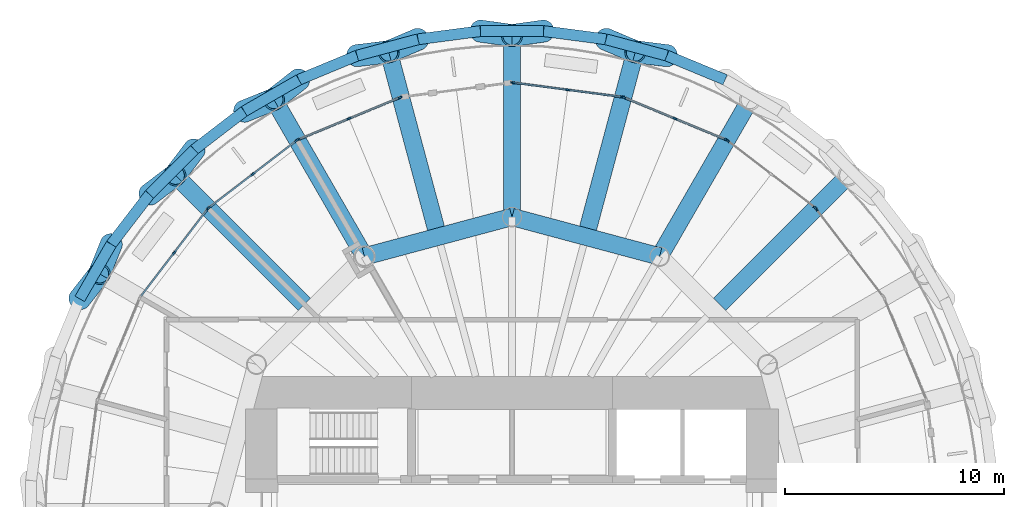
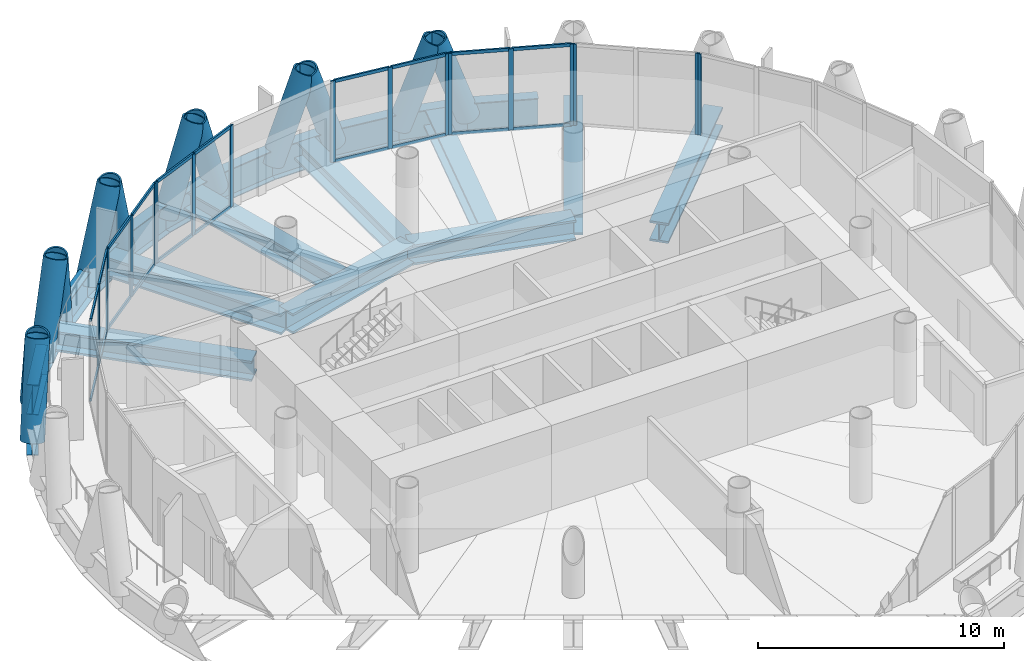
# One storey, part 5 of 15: 49 members, 21 beams, 7 elements without a shape of their own.
"""IFC4 building model written with IfcOpenShell, lengths in metres."""

from ifc_helpers import new_model, si_unit, direction, frame, origin, origin_2d, place, context, subcontext, project, spatial, rectangle, hollow_circle, i_section, extrude, material, material_profile, profile_set, type_object, element, aggregate, save


model = new_model("IFC4")

# Units and contexts
model_context = context("Model", 3, precision=1e-05, world=origin(), true_north=direction((0.0, 1.0)))
body_context = subcontext(model_context, "Body", "Model", "MODEL_VIEW")
ifc_project = project(units=[si_unit("LENGTHUNIT", "METRE"), si_unit("AREAUNIT", "SQUARE_METRE"), si_unit("VOLUMEUNIT", "CUBIC_METRE"), si_unit("PLANEANGLEUNIT", "RADIAN"), si_unit("MASSUNIT", "GRAM", prefix="KILO")], contexts=[model_context])

# Site, building, storey
site_placement = place(None, origin())
site = spatial("IfcSite", under=ifc_project, at=site_placement, CompositionType="ELEMENT")
building_placement = place(site_placement, origin())
building = spatial("IfcBuilding", under=site, at=building_placement, Name="Qaws Media Tower", CompositionType="ELEMENT")
storey_placement = place(building_placement, frame((0.0, 0.0, 257.0)))
storey = spatial("IfcBuildingStorey", under=building, at=storey_placement, Name="L59", CompositionType="ELEMENT", Elevation=257.0)

# Curtain wall, member
ifc_material_1 = material(Name="Aluminium and clear glass", Category="aluminium")
curtain_wall_type = type_object("IfcCurtainWallType", Name="Unitised curtain wall CW-C", PredefinedType="NOTDEFINED", material=ifc_material_1)
curtain_wall_1_placement = place(storey_placement, origin())
curtain_wall_1 = element("IfcCurtainWall", 1, at=curtain_wall_1_placement, inside=storey, type_object=curtain_wall_type, Name="CWC curtain wall L59-03", PredefinedType="NOTDEFINED")
ifc_material_2 = material(Name="Aluminium mullion", Category="aluminium")
ifc_material_profile_1 = material_profile(ifc_material_2, rectangle(XDim=0.080078125, YDim=0.199951171875, at=origin_2d()), Name="80x200")
ifc_profile_set_1 = profile_set([ifc_material_profile_1], Name="Aluminium mullion")
member_type_1 = type_object("IfcMemberType", Name="Curtain wall mullion 80x200", PredefinedType="MULLION", material=ifc_profile_set_1)
member_1_placement = place(storey_placement, frame((73.9189453125, 63.86279296875, 0.0), z_axis=(0.0, 0.0, 1.0), x_axis=(-0.793353316003, -0.608761460662, 0.0)))
member_1 = element("IfcMember", 2, at=member_1_placement, type_object=member_type_1, Name="CWC mullion 3", PredefinedType="MULLION", context=body_context, shape_type="SweptSolid", body=[
    extrude(rectangle(XDim=0.080078125, YDim=0.199951171875, at=origin_2d()), origin(), (0.0, 0.0, 1.0), 4.0400390625),
])
aggregate(curtain_wall_1, [member_1])

# Curtain wall, members
curtain_wall_2_placement = place(storey_placement, origin())
curtain_wall_2 = element("IfcCurtainWall", 3, at=curtain_wall_2_placement, inside=storey, type_object=curtain_wall_type, Name="CWC curtain wall L59-04", PredefinedType="NOTDEFINED")
member_2_placement = place(storey_placement, frame((73.86279296875, 63.9189453125, 0.0), z_axis=(0.0, 0.0, 1.0), x_axis=(-0.608761460662, -0.793353316003, 0.0)))
member_2 = element("IfcMember", 4, at=member_2_placement, type_object=member_type_1, Name="CWC mullion 1", PredefinedType="MULLION", context=body_context, shape_type="SweptSolid", body=[
    extrude(rectangle(XDim=0.080078125, YDim=0.199951171875, at=origin_2d()), origin(), (0.0, 0.0, 1.0), 4.0400390625),
])
member_3_placement = place(storey_placement, frame((69.856689453125, 66.9931640625, 0.0), z_axis=(0.0, 0.0, 1.0), x_axis=(-0.608761460662, -0.793353316003, 0.0)))
member_3 = element("IfcMember", 5, at=member_3_placement, type_object=member_type_1, Name="CWC mullion 3", PredefinedType="MULLION", context=body_context, shape_type="SweptSolid", body=[
    extrude(rectangle(XDim=0.080078125, YDim=0.199951171875, at=origin_2d()), origin(), (0.0, 0.0, 1.0), 4.0400390625),
])
aggregate(curtain_wall_2, [member_2, member_3])

curtain_wall_3_placement = place(storey_placement, origin())
curtain_wall_3 = element("IfcCurtainWall", 6, at=curtain_wall_3_placement, inside=storey, type_object=curtain_wall_type, Name="CWC curtain wall L59-05", PredefinedType="NOTDEFINED")
member_4_placement = place(storey_placement, frame((69.7880859375, 67.03271484375, 0.0), z_axis=(0.0, 0.0, 1.0), x_axis=(-0.382683365786, -0.923879560089, 0.0)))
member_4 = element("IfcMember", 7, at=member_4_placement, type_object=member_type_1, Name="CWC mullion 1", PredefinedType="MULLION", context=body_context, shape_type="SweptSolid", body=[
    extrude(rectangle(XDim=0.080078125, YDim=0.199951171875, at=origin_2d()), origin(), (0.0, 0.0, 1.0), 4.0400390625),
])
member_5_placement = place(storey_placement, frame((67.455322265625, 67.9990234375, 0.0), z_axis=(0.0, 0.0, 1.0), x_axis=(-0.382683365786, -0.923879560089, 0.0)))
member_5 = element("IfcMember", 8, at=member_5_placement, type_object=member_type_1, Name="CWC mullion 2", PredefinedType="MULLION", context=body_context, shape_type="SweptSolid", body=[
    extrude(rectangle(XDim=0.080078125, YDim=0.199951171875, at=origin_2d()), origin(), (0.0, 0.0, 1.0), 4.0400390625),
])
member_6_placement = place(storey_placement, frame((65.122802734375, 68.965087890625, 0.0), z_axis=(0.0, 0.0, 1.0), x_axis=(-0.382683365786, -0.923879560089, 0.0)))
member_6 = element("IfcMember", 9, at=member_6_placement, type_object=member_type_1, Name="CWC mullion 3", PredefinedType="MULLION", context=body_context, shape_type="SweptSolid", body=[
    extrude(rectangle(XDim=0.080078125, YDim=0.199951171875, at=origin_2d()), origin(), (0.0, 0.0, 1.0), 4.0400390625),
])

curtain_wall_4_placement = place(storey_placement, origin())
curtain_wall_4 = element("IfcCurtainWall", 10, at=curtain_wall_4_placement, inside=storey, type_object=curtain_wall_type, Name="CWC curtain wall L59-06", PredefinedType="NOTDEFINED")
member_7_placement = place(storey_placement, frame((65.046142578125, 68.985595703125, 0.0), z_axis=(0.0, 0.0, 1.0), x_axis=(-0.130526291424, -0.991444848313, 0.0)))
member_7 = element("IfcMember", 11, at=member_7_placement, type_object=member_type_1, Name="CWC mullion 1", PredefinedType="MULLION", context=body_context, shape_type="SweptSolid", body=[
    extrude(rectangle(XDim=0.080078125, YDim=0.199951171875, at=origin_2d()), origin(), (0.0, 0.0, 1.0), 4.0400390625),
])
member_8_placement = place(storey_placement, frame((62.54296875, 69.315185546875, 0.0), z_axis=(0.0, 0.0, 1.0), x_axis=(-0.130526291424, -0.991444848313, 0.0)))
member_8 = element("IfcMember", 12, at=member_8_placement, type_object=member_type_1, Name="CWC mullion 2", PredefinedType="MULLION", context=body_context, shape_type="SweptSolid", body=[
    extrude(rectangle(XDim=0.080078125, YDim=0.199951171875, at=origin_2d()), origin(), (0.0, 0.0, 1.0), 4.0400390625),
])
member_9_placement = place(storey_placement, frame((60.03955078125, 69.644775390625, 0.0), z_axis=(0.0, 0.0, 1.0), x_axis=(-0.130526291424, -0.991444848313, 0.0)))
member_9 = element("IfcMember", 13, at=member_9_placement, type_object=member_type_1, Name="CWC mullion 3", PredefinedType="MULLION", context=body_context, shape_type="SweptSolid", body=[
    extrude(rectangle(XDim=0.080078125, YDim=0.199951171875, at=origin_2d()), origin(), (0.0, 0.0, 1.0), 4.0400390625),
])

curtain_wall_5_placement = place(storey_placement, origin())
curtain_wall_5 = element("IfcCurtainWall", 14, at=curtain_wall_5_placement, inside=storey, type_object=curtain_wall_type, Name="CWC curtain wall L59-08", PredefinedType="NOTDEFINED")
member_10_placement = place(storey_placement, frame((54.877197265625, 68.965087890625, 0.0), z_axis=(0.0, 0.0, 1.0), x_axis=(0.382683365786, -0.923879560089, 0.0)))
member_10 = element("IfcMember", 15, at=member_10_placement, type_object=member_type_1, Name="CWC mullion 1", PredefinedType="MULLION", context=body_context, shape_type="SweptSolid", body=[
    extrude(rectangle(XDim=0.080078125, YDim=0.199951171875, at=origin_2d()), origin(), (0.0, 0.0, 1.0), 4.0400390625),
])
member_11_placement = place(storey_placement, frame((52.544677734375, 67.9990234375, 0.0), z_axis=(0.0, 0.0, 1.0), x_axis=(0.382683365786, -0.923879560089, 0.0)))
member_11 = element("IfcMember", 16, at=member_11_placement, type_object=member_type_1, Name="CWC mullion 2", PredefinedType="MULLION", context=body_context, shape_type="SweptSolid", body=[
    extrude(rectangle(XDim=0.080078125, YDim=0.199951171875, at=origin_2d()), origin(), (0.0, 0.0, 1.0), 4.0400390625),
])
member_12_placement = place(storey_placement, frame((50.2119140625, 67.03271484375, 0.0), z_axis=(0.0, 0.0, 1.0), x_axis=(0.382683365786, -0.923879560089, 0.0)))
member_12 = element("IfcMember", 17, at=member_12_placement, type_object=member_type_1, Name="CWC mullion 3", PredefinedType="MULLION", context=body_context, shape_type="SweptSolid", body=[
    extrude(rectangle(XDim=0.080078125, YDim=0.199951171875, at=origin_2d()), origin(), (0.0, 0.0, 1.0), 4.0400390625),
])

curtain_wall_6_placement = place(storey_placement, origin())
curtain_wall_6 = element("IfcCurtainWall", 18, at=curtain_wall_6_placement, inside=storey, type_object=curtain_wall_type, Name="CWC curtain wall L59-09", PredefinedType="NOTDEFINED")
member_13_placement = place(storey_placement, frame((50.143310546875, 66.9931640625, 0.0), z_axis=(0.0, 0.0, 1.0), x_axis=(0.608761460662, -0.793353316003, 0.0)))
member_13 = element("IfcMember", 19, at=member_13_placement, type_object=member_type_1, Name="CWC mullion 1", PredefinedType="MULLION", context=body_context, shape_type="SweptSolid", body=[
    extrude(rectangle(XDim=0.080078125, YDim=0.199951171875, at=origin_2d()), origin(), (0.0, 0.0, 1.0), 4.0400390625),
])
member_14_placement = place(storey_placement, frame((48.14013671875, 65.4560546875, 0.0), z_axis=(0.0, 0.0, 1.0), x_axis=(0.608761460662, -0.793353316003, 0.0)))
member_14 = element("IfcMember", 20, at=member_14_placement, type_object=member_type_1, Name="CWC mullion 2", PredefinedType="MULLION", context=body_context, shape_type="SweptSolid", body=[
    extrude(rectangle(XDim=0.080078125, YDim=0.199951171875, at=origin_2d()), origin(), (0.0, 0.0, 1.0), 4.0400390625),
])
member_15_placement = place(storey_placement, frame((46.13720703125, 63.9189453125, 0.0), z_axis=(0.0, 0.0, 1.0), x_axis=(0.608761460662, -0.793353316003, 0.0)))
member_15 = element("IfcMember", 21, at=member_15_placement, type_object=member_type_1, Name="CWC mullion 3", PredefinedType="MULLION", context=body_context, shape_type="SweptSolid", body=[
    extrude(rectangle(XDim=0.080078125, YDim=0.199951171875, at=origin_2d()), origin(), (0.0, 0.0, 1.0), 4.0400390625),
])

curtain_wall_7_placement = place(storey_placement, origin())
curtain_wall_7 = element("IfcCurtainWall", 22, at=curtain_wall_7_placement, inside=storey, type_object=curtain_wall_type, Name="CWC curtain wall L59-10", PredefinedType="NOTDEFINED")
member_16_placement = place(storey_placement, frame((46.0810546875, 63.86279296875, 0.0), z_axis=(0.0, 0.0, 1.0), x_axis=(0.793353316003, -0.608761460662, 0.0)))
member_16 = element("IfcMember", 23, at=member_16_placement, type_object=member_type_1, Name="CWC mullion 1", PredefinedType="MULLION", context=body_context, shape_type="SweptSolid", body=[
    extrude(rectangle(XDim=0.080078125, YDim=0.199951171875, at=origin_2d()), origin(), (0.0, 0.0, 1.0), 4.0400390625),
])
member_17_placement = place(storey_placement, frame((44.5439453125, 61.85986328125, 0.0), z_axis=(0.0, 0.0, 1.0), x_axis=(0.793353316003, -0.608761460662, 0.0)))
member_17 = element("IfcMember", 24, at=member_17_placement, type_object=member_type_1, Name="CWC mullion 2", PredefinedType="MULLION", context=body_context, shape_type="SweptSolid", body=[
    extrude(rectangle(XDim=0.080078125, YDim=0.199951171875, at=origin_2d()), origin(), (0.0, 0.0, 1.0), 4.0400390625),
])

# Member
ifc_material_3 = material(Name="Aluminium transom", Category="aluminium")
ifc_material_profile_2 = material_profile(ifc_material_3, rectangle(XDim=0.080078125, YDim=0.159912109375, at=origin_2d()), Name="80x160")
ifc_profile_set_2 = profile_set([ifc_material_profile_2], Name="Aluminium transom")
member_type_2 = type_object("IfcMemberType", Name="Curtain wall transom 80x160", PredefinedType="USERDEFINED", material=ifc_profile_set_2)
member_18_placement = place(storey_placement, frame((69.7509765625, 67.048095703125, 0.0400390625), z_axis=(-0.923875636713, 0.382692837519, 0.0), x_axis=(-0.382692837519, -0.923875636713, 0.0)))
member_18 = element("IfcMember", 25, at=member_18_placement, type_object=member_type_2, Name="CWC transom 1.1", ObjectType="TRANSOM", PredefinedType="USERDEFINED", context=body_context, shape_type="SweptSolid", body=[
    extrude(rectangle(XDim=0.080078125, YDim=0.159912109375, at=origin_2d()), origin(), (0.0, 0.0, 1.0), 2.444580078125),
])

member_19_placement = place(storey_placement, frame((69.7509765625, 67.048095703125, 4.0), z_axis=(-0.923875636713, 0.382692837519, 0.0), x_axis=(-0.382692837519, -0.923875636713, 0.0)))
member_19 = element("IfcMember", 26, at=member_19_placement, type_object=member_type_2, Name="CWC transom 1.2", ObjectType="TRANSOM", PredefinedType="USERDEFINED", context=body_context, shape_type="SweptSolid", body=[
    extrude(rectangle(XDim=0.080078125, YDim=0.159912109375, at=origin_2d()), origin(), (0.0, 0.0, 1.0), 2.444580078125),
])

member_20_placement = place(storey_placement, frame((67.41845703125, 68.01416015625, 0.0400390625), z_axis=(-0.923890260687, 0.382657531231, 0.0), x_axis=(-0.382657531231, -0.923890260687, 0.0)))
member_20 = element("IfcMember", 27, at=member_20_placement, type_object=member_type_2, Name="CWC transom 2.1", ObjectType="TRANSOM", PredefinedType="USERDEFINED", context=body_context, shape_type="SweptSolid", body=[
    extrude(rectangle(XDim=0.080078125, YDim=0.159912109375, at=origin_2d()), origin(), (0.0, 0.0, 1.0), 2.44482421875),
])

member_21_placement = place(storey_placement, frame((67.41845703125, 68.01416015625, 4.0), z_axis=(-0.923890260687, 0.382657531231, 0.0), x_axis=(-0.382657531231, -0.923890260687, 0.0)))
member_21 = element("IfcMember", 28, at=member_21_placement, type_object=member_type_2, Name="CWC transom 2.2", ObjectType="TRANSOM", PredefinedType="USERDEFINED", context=body_context, shape_type="SweptSolid", body=[
    extrude(rectangle(XDim=0.080078125, YDim=0.159912109375, at=origin_2d()), origin(), (0.0, 0.0, 1.0), 2.44482421875),
])

aggregate(curtain_wall_3, [member_4, member_5, member_6, member_18, member_19, member_20, member_21])

member_22_placement = place(storey_placement, frame((65.006591796875, 68.990966796875, 0.0400390625), z_axis=(-0.991447156798, 0.130508755558, 0.0), x_axis=(-0.130508755558, -0.991447156798, 0.0)))
member_22 = element("IfcMember", 29, at=member_22_placement, type_object=member_type_2, Name="CWC transom 1.1", ObjectType="TRANSOM", PredefinedType="USERDEFINED", context=body_context, shape_type="SweptSolid", body=[
    extrude(rectangle(XDim=0.080078125, YDim=0.159912109375, at=origin_2d()), origin(), (0.0, 0.0, 1.0), 2.445068359375),
])

member_23_placement = place(storey_placement, frame((65.006591796875, 68.990966796875, 4.0), z_axis=(-0.991447156798, 0.130508755558, 0.0), x_axis=(-0.130508755558, -0.991447156798, 0.0)))
member_23 = element("IfcMember", 30, at=member_23_placement, type_object=member_type_2, Name="CWC transom 1.2", ObjectType="TRANSOM", PredefinedType="USERDEFINED", context=body_context, shape_type="SweptSolid", body=[
    extrude(rectangle(XDim=0.080078125, YDim=0.159912109375, at=origin_2d()), origin(), (0.0, 0.0, 1.0), 2.445068359375),
])

member_24_placement = place(storey_placement, frame((62.503173828125, 69.320556640625, 0.0400390625), z_axis=(-0.991445455784, 0.130521677146, 0.0), x_axis=(-0.130521677146, -0.991445455784, 0.0)))
member_24 = element("IfcMember", 31, at=member_24_placement, type_object=member_type_2, Name="CWC transom 2.1", ObjectType="TRANSOM", PredefinedType="USERDEFINED", context=body_context, shape_type="SweptSolid", body=[
    extrude(rectangle(XDim=0.080078125, YDim=0.159912109375, at=origin_2d()), origin(), (0.0, 0.0, 1.0), 2.44482421875),
])

member_25_placement = place(storey_placement, frame((62.503173828125, 69.320556640625, 4.0), z_axis=(-0.991445455784, 0.130521677146, 0.0), x_axis=(-0.130521677146, -0.991445455784, 0.0)))
member_25 = element("IfcMember", 32, at=member_25_placement, type_object=member_type_2, Name="CWC transom 2.2", ObjectType="TRANSOM", PredefinedType="USERDEFINED", context=body_context, shape_type="SweptSolid", body=[
    extrude(rectangle(XDim=0.080078125, YDim=0.159912109375, at=origin_2d()), origin(), (0.0, 0.0, 1.0), 2.44482421875),
])

aggregate(curtain_wall_4, [member_7, member_8, member_9, member_22, member_23, member_24, member_25])

member_26_placement = place(storey_placement, frame((54.84033203125, 68.94970703125, 0.0400390625), z_axis=(-0.923890260687, -0.382657531231, 0.0), x_axis=(0.382657531231, -0.923890260687, 0.0)))
member_26 = element("IfcMember", 33, at=member_26_placement, type_object=member_type_2, Name="CWC transom 1.1", ObjectType="TRANSOM", PredefinedType="USERDEFINED", context=body_context, shape_type="SweptSolid", body=[
    extrude(rectangle(XDim=0.080078125, YDim=0.159912109375, at=origin_2d()), origin(), (0.0, 0.0, 1.0), 2.44482421875),
])

member_27_placement = place(storey_placement, frame((54.84033203125, 68.94970703125, 4.0), z_axis=(-0.923890260687, -0.382657531231, 0.0), x_axis=(0.382657531231, -0.923890260687, 0.0)))
member_27 = element("IfcMember", 34, at=member_27_placement, type_object=member_type_2, Name="CWC transom 1.2", ObjectType="TRANSOM", PredefinedType="USERDEFINED", context=body_context, shape_type="SweptSolid", body=[
    extrude(rectangle(XDim=0.080078125, YDim=0.159912109375, at=origin_2d()), origin(), (0.0, 0.0, 1.0), 2.44482421875),
])

member_28_placement = place(storey_placement, frame((52.507568359375, 67.983642578125, 0.0400390625), z_axis=(-0.923875636713, -0.382692837519, 0.0), x_axis=(0.382692837519, -0.923875636713, 0.0)))
member_28 = element("IfcMember", 35, at=member_28_placement, type_object=member_type_2, Name="CWC transom 2.1", ObjectType="TRANSOM", PredefinedType="USERDEFINED", context=body_context, shape_type="SweptSolid", body=[
    extrude(rectangle(XDim=0.080078125, YDim=0.159912109375, at=origin_2d()), origin(), (0.0, 0.0, 1.0), 2.444580078125),
])

member_29_placement = place(storey_placement, frame((52.507568359375, 67.983642578125, 4.0), z_axis=(-0.923875636713, -0.382692837519, 0.0), x_axis=(0.382692837519, -0.923875636713, 0.0)))
member_29 = element("IfcMember", 36, at=member_29_placement, type_object=member_type_2, Name="CWC transom 2.2", ObjectType="TRANSOM", PredefinedType="USERDEFINED", context=body_context, shape_type="SweptSolid", body=[
    extrude(rectangle(XDim=0.080078125, YDim=0.159912109375, at=origin_2d()), origin(), (0.0, 0.0, 1.0), 2.444580078125),
])

aggregate(curtain_wall_5, [member_10, member_11, member_12, member_26, member_27, member_28, member_29])

member_30_placement = place(storey_placement, frame((50.111572265625, 66.96875, 0.0400390625), z_axis=(-0.793373254065, -0.608735475995, 0.0), x_axis=(0.608735475995, -0.793373254065, 0.0)))
member_30 = element("IfcMember", 37, at=member_30_placement, type_object=member_type_2, Name="CWC transom 1.1", ObjectType="TRANSOM", PredefinedType="USERDEFINED", context=body_context, shape_type="SweptSolid", body=[
    extrude(rectangle(XDim=0.080078125, YDim=0.159912109375, at=origin_2d()), origin(), (0.0, 0.0, 1.0), 2.44482421875),
])

member_31_placement = place(storey_placement, frame((50.111572265625, 66.96875, 4.0), z_axis=(-0.793373254065, -0.608735475995, 0.0), x_axis=(0.608735475995, -0.793373254065, 0.0)))
member_31 = element("IfcMember", 38, at=member_31_placement, type_object=member_type_2, Name="CWC transom 1.2", ObjectType="TRANSOM", PredefinedType="USERDEFINED", context=body_context, shape_type="SweptSolid", body=[
    extrude(rectangle(XDim=0.080078125, YDim=0.159912109375, at=origin_2d()), origin(), (0.0, 0.0, 1.0), 2.44482421875),
])

member_32_placement = place(storey_placement, frame((48.1083984375, 65.431640625, 0.0400390625), z_axis=(-0.793373254065, -0.608735475995, 0.0), x_axis=(0.608735475995, -0.793373254065, 0.0)))
member_32 = element("IfcMember", 39, at=member_32_placement, type_object=member_type_2, Name="CWC transom 2.1", ObjectType="TRANSOM", PredefinedType="USERDEFINED", context=body_context, shape_type="SweptSolid", body=[
    extrude(rectangle(XDim=0.080078125, YDim=0.159912109375, at=origin_2d()), origin(), (0.0, 0.0, 1.0), 2.44482421875),
])

member_33_placement = place(storey_placement, frame((48.1083984375, 65.431640625, 4.0), z_axis=(-0.793373254065, -0.608735475995, 0.0), x_axis=(0.608735475995, -0.793373254065, 0.0)))
member_33 = element("IfcMember", 40, at=member_33_placement, type_object=member_type_2, Name="CWC transom 2.2", ObjectType="TRANSOM", PredefinedType="USERDEFINED", context=body_context, shape_type="SweptSolid", body=[
    extrude(rectangle(XDim=0.080078125, YDim=0.159912109375, at=origin_2d()), origin(), (0.0, 0.0, 1.0), 2.44482421875),
])

aggregate(curtain_wall_6, [member_13, member_14, member_15, member_30, member_31, member_32, member_33])

member_34_placement = place(storey_placement, frame((46.056640625, 63.831298828125, 0.0400390625), z_axis=(-0.608735475995, -0.793373254065, 0.0), x_axis=(0.793373254065, -0.608735475995, 0.0)))
member_34 = element("IfcMember", 41, at=member_34_placement, type_object=member_type_2, Name="CWC transom 1.1", ObjectType="TRANSOM", PredefinedType="USERDEFINED", context=body_context, shape_type="SweptSolid", body=[
    extrude(rectangle(XDim=0.080078125, YDim=0.159912109375, at=origin_2d()), origin(), (0.0, 0.0, 1.0), 2.44482421875),
])

member_35_placement = place(storey_placement, frame((46.056640625, 63.831298828125, 4.0), z_axis=(-0.608735475995, -0.793373254065, 0.0), x_axis=(0.793373254065, -0.608735475995, 0.0)))
member_35 = element("IfcMember", 42, at=member_35_placement, type_object=member_type_2, Name="CWC transom 1.2", ObjectType="TRANSOM", PredefinedType="USERDEFINED", context=body_context, shape_type="SweptSolid", body=[
    extrude(rectangle(XDim=0.080078125, YDim=0.159912109375, at=origin_2d()), origin(), (0.0, 0.0, 1.0), 2.44482421875),
])

member_36_placement = place(storey_placement, frame((44.51953125, 61.828125, 0.0400390625), z_axis=(-0.608735475995, -0.793373254065, 0.0), x_axis=(0.793373254065, -0.608735475995, 0.0)))
member_36 = element("IfcMember", 43, at=member_36_placement, type_object=member_type_2, Name="CWC transom 2.1", ObjectType="TRANSOM", PredefinedType="USERDEFINED", context=body_context, shape_type="SweptSolid", body=[
    extrude(rectangle(XDim=0.080078125, YDim=0.159912109375, at=origin_2d()), origin(), (0.0, 0.0, 1.0), 2.44482421875),
])

member_37_placement = place(storey_placement, frame((44.51953125, 61.828125, 4.0), z_axis=(-0.608735475995, -0.793373254065, 0.0), x_axis=(0.793373254065, -0.608735475995, 0.0)))
member_37 = element("IfcMember", 44, at=member_37_placement, type_object=member_type_2, Name="CWC transom 2.2", ObjectType="TRANSOM", PredefinedType="USERDEFINED", context=body_context, shape_type="SweptSolid", body=[
    extrude(rectangle(XDim=0.080078125, YDim=0.159912109375, at=origin_2d()), origin(), (0.0, 0.0, 1.0), 2.44482421875),
])

aggregate(curtain_wall_7, [member_16, member_17, member_34, member_35, member_36, member_37])

# Members
ifc_material_4 = material(Name="Steel S460", Category="steel")
ifc_material_profile_3 = material_profile(ifc_material_4, hollow_circle(Radius=0.508056640625, WallThickness=0.070068359375, at=origin_2d()), Name="CHS 1016x70")
ifc_profile_set_3 = profile_set([ifc_material_profile_3], Name="Steel S460")
member_type_3 = type_object("IfcMemberType", Name="Diagrid member CHS 1016x70", PredefinedType="USERDEFINED", material=ifc_profile_set_3)
for number, where, z_axis, x_axis, name in (
    (45, (67.087646484375, 70.8798828125, -0.909912109375), (-0.325138959222, 0.039873460202, 0.944825255996), (-0.121723230224, -0.992564081167, 0.0), "DG3 diagrid L59 A05"),
    (46, (61.442138671875, 72.002685546875, -0.909912109375), (-0.324421021562, -0.045584805806, 0.944813752148), (0.139144379056, -0.990272104917, 0.0), "DG3 diagrid L59 A06"),
    (47, (64.3017578125, 71.626220703125, -0.909912109375), (0.301572290432, -0.128021309233, 0.944809344802), (0.39076078469, 0.920492264578, 0.0), "DG3 diagrid L59 B06"),
    (48, (55.6982421875, 71.626220703125, -0.909912109375), (-0.301572290432, -0.128021309233, 0.944809344802), (0.39076078469, -0.920492264578, 0.0), "DG3 diagrid L59 A07"),
    (49, (58.557861328125, 72.002685546875, -0.909912109375), (0.324421021562, -0.045584805806, 0.944813752148), (0.139144379056, 0.990272104917, 0.0), "DG3 diagrid L59 B07"),
    (50, (50.24755859375, 69.776123046875, -0.909912109375), (-0.25813106943, -0.201726684685, 0.94481463562), (0.615761153047, -0.787932866682, 0.0), "DG3 diagrid L59 A08"),
    (51, (52.912353515625, 70.8798828125, -0.909912109375), (0.325138959222, 0.039873460202, 0.944825255996), (-0.121723230224, 0.992564081167, 0.0), "DG3 diagrid L59 B08"),
    (52, (45.46142578125, 66.578125, -0.909912109375), (-0.197167347298, -0.261644914353, 0.944810550297), (0.798629990387, -0.601822347919, 0.0), "DG3 diagrid L59 A09"),
    (53, (47.749755859375, 68.333984375, -0.909912109375), (0.30377002021, 0.122694309374, 0.944812087808), (-0.374510169853, 0.927222806383, 0.0), "DG3 diagrid L59 B09"),
    (54, (41.666015625, 62.250244140625, -0.909912109375), (-0.122694309374, -0.30377002021, 0.944812087808), (0.927222806383, -0.374510169853, 0.0), "DG3 diagrid L59 A10"),
    (55, (43.421875, 64.53857421875, -0.909912109375), (0.261644914353, 0.197167347298, 0.944810550297), (-0.601822347919, 0.798629990387, 0.0), "DG3 diagrid L59 B10"),
    (56, (40.223876953125, 59.75244140625, -0.909912109375), (0.201726684685, 0.25813106943, 0.94481463562), (-0.787932866682, 0.615761153047, 0.0), "DG3 diagrid L59 B11"),
):
    element("IfcMember", number, at=place(storey_placement, frame(where, z_axis=z_axis, x_axis=x_axis)), inside=storey, type_object=member_type_3, Name=name, ObjectType="DIAGRID", PredefinedType="USERDEFINED", context=body_context, shape_type="SweptSolid", body=[
        extrude(hollow_circle(Radius=0.508056640625, WallThickness=0.070068359375, at=origin_2d()), origin(), (0.0, 0.0, 1.0), 4.4453125),
    ])

# Beams
ifc_material_5 = material(Name="Steel S460", Category="steel")
ifc_material_profile_4 = material_profile(ifc_material_5, i_section(OverallWidth=0.5, OverallDepth=1.5, WebThickness=0.02001953125, FlangeThickness=0.0400390625, at=origin_2d()), Name="PG 1500x500")
ifc_profile_set_4 = profile_set([ifc_material_profile_4], Name="Steel S460")
beam_type_1 = type_object("IfcBeamType", Name="Edge ring beam PG 1500x500", PredefinedType="BEAM", material=ifc_profile_set_4)
beam_1_placement = place(storey_placement, frame((69.75244140625, 69.776123046875, -0.909912109375), z_axis=(-0.923883753017, 0.382673243004, 0.0), x_axis=(-0.382673243004, -0.923883753017, 0.0)))
element("IfcBeam", 57, at=beam_1_placement, inside=storey, type_object=beam_type_1, Name="RB4 edge ring beam L59-09", PredefinedType="BEAM", context=body_context, shape_type="SweptSolid", body=[
    extrude(i_section(OverallWidth=0.5, OverallDepth=1.5, WebThickness=0.02001953125, FlangeThickness=0.0400390625, at=origin_2d()), origin(), (0.0, 0.0, 1.0), 2.88427734375),
])
beam_2_placement = place(storey_placement, frame((67.087646484375, 70.8798828125, -0.909912109375), z_axis=(-0.965937850475, 0.258774166059, 0.0), x_axis=(-0.258774166059, -0.965937850475, 0.0)))
element("IfcBeam", 58, at=beam_2_placement, inside=storey, type_object=beam_type_1, Name="RB4 edge ring beam L59-10", PredefinedType="BEAM", context=body_context, shape_type="SweptSolid", body=[
    extrude(i_section(OverallWidth=0.5, OverallDepth=1.5, WebThickness=0.02001953125, FlangeThickness=0.0400390625, at=origin_2d()), origin(), (0.0, 0.0, 1.0), 2.884033203125),
])
for number, where, z_axis, x_axis, name in (
    (59, (64.3017578125, 71.626220703125, -0.909912109375), (-0.991445362004, 0.1305223895, 0.0), (-0.1305223895, -0.991445362004, 0.0), "RB4 edge ring beam L59-11"),
    (60, (61.442138671875, 72.002685546875, -0.909912109375), (-1.0, 0.0, 0.0), (0.0, -1.0, 0.0), "RB4 edge ring beam L59-12"),
    (61, (58.557861328125, 72.002685546875, -0.909912109375), (-0.991445362004, -0.1305223895, 0.0), (0.1305223895, -0.991445362004, 0.0), "RB4 edge ring beam L59-13"),
):
    element("IfcBeam", number, at=place(storey_placement, frame(where, z_axis=z_axis, x_axis=x_axis)), inside=storey, type_object=beam_type_1, Name=name, PredefinedType="BEAM", context=body_context, shape_type="SweptSolid", body=[
        extrude(i_section(OverallWidth=0.5, OverallDepth=1.5, WebThickness=0.02001953125, FlangeThickness=0.0400390625, at=origin_2d()), origin(), (0.0, 0.0, 1.0), 2.88427734375),
    ])
beam_3_placement = place(storey_placement, frame((55.6982421875, 71.626220703125, -0.909912109375), z_axis=(-0.965937850475, -0.258774166059, 0.0), x_axis=(0.258774166059, -0.965937850475, 0.0)))
element("IfcBeam", 62, at=beam_3_placement, inside=storey, type_object=beam_type_1, Name="RB4 edge ring beam L59-14", PredefinedType="BEAM", context=body_context, shape_type="SweptSolid", body=[
    extrude(i_section(OverallWidth=0.5, OverallDepth=1.5, WebThickness=0.02001953125, FlangeThickness=0.0400390625, at=origin_2d()), origin(), (0.0, 0.0, 1.0), 2.884033203125),
])
for number, where, z_axis, x_axis, name in (
    (63, (52.912353515625, 70.8798828125, -0.909912109375), (-0.923883753017, -0.382673243004, 0.0), (0.382673243004, -0.923883753017, 0.0), "RB4 edge ring beam L59-15"),
    (64, (50.24755859375, 69.776123046875, -0.909912109375), (-0.866020660983, -0.500008214683, 0.0), (0.500008214683, -0.866020660983, 0.0), "RB4 edge ring beam L59-16"),
    (65, (47.749755859375, 68.333984375, -0.909912109375), (-0.793359711654, -0.608753125597, 0.0), (0.608753125597, -0.793359711654, 0.0), "RB4 edge ring beam L59-17"),
    (66, (45.46142578125, 66.578125, -0.909912109375), (-0.707106781187, -0.707106781187, 0.0), (0.707106781187, -0.707106781187, 0.0), "RB4 edge ring beam L59-18"),
    (67, (43.421875, 64.53857421875, -0.909912109375), (-0.608753125597, -0.793359711654, 0.0), (0.793359711654, -0.608753125597, 0.0), "RB4 edge ring beam L59-19"),
    (68, (41.666015625, 62.250244140625, -0.909912109375), (-0.500008214683, -0.866020660983, 0.0), (0.866020660983, -0.500008214683, 0.0), "RB4 edge ring beam L59-20"),
):
    element("IfcBeam", number, at=place(storey_placement, frame(where, z_axis=z_axis, x_axis=x_axis)), inside=storey, type_object=beam_type_1, Name=name, PredefinedType="BEAM", context=body_context, shape_type="SweptSolid", body=[
        extrude(i_section(OverallWidth=0.5, OverallDepth=1.5, WebThickness=0.02001953125, FlangeThickness=0.0400390625, at=origin_2d()), origin(), (0.0, 0.0, 1.0), 2.88427734375),
    ])
ifc_material_6 = material(Name="Steel S460", Category="steel")
ifc_material_profile_5 = material_profile(ifc_material_6, i_section(OverallWidth=0.800048828125, OverallDepth=1.0, WebThickness=0.0400390625, FlangeThickness=0.10009765625, at=origin_2d()), Name="PG 1000x800")
ifc_profile_set_5 = profile_set([ifc_material_profile_5], Name="Steel S460")
beam_type_2 = type_object("IfcBeamType", Name="Inner ring girder PG 1000x800", PredefinedType="BEAM", material=ifc_profile_set_5)
for number, where, z_axis, x_axis, name in (
    (69, (66.75, 61.69140625, -0.659912109375), (-0.965928090778, 0.258810593767, 0.0), (-0.258810593767, -0.965928090778, 0.0), "B3 inner ring beam L59 I03-I04"),
    (70, (60.0, 63.5, -0.659912109375), (-0.965928090778, -0.258810593767, 0.0), (0.258810593767, -0.965928090778, 0.0), "B3 inner ring beam L59 I04-I05"),
):
    element("IfcBeam", number, at=place(storey_placement, frame(where, z_axis=z_axis, x_axis=x_axis)), inside=storey, type_object=beam_type_2, Name=name, PredefinedType="BEAM", context=body_context, shape_type="SweptSolid", body=[
        extrude(i_section(OverallWidth=0.800048828125, OverallDepth=1.0, WebThickness=0.0400390625, FlangeThickness=0.10009765625, at=origin_2d()), origin(), (0.0, 0.0, 1.0), 6.988037109375),
    ])
ifc_material_7 = material(Name="Steel S460", Category="steel")
ifc_material_profile_6 = material_profile(ifc_material_7, i_section(OverallWidth=0.800048828125, OverallDepth=1.0, WebThickness=0.0400390625, FlangeThickness=0.10009765625, at=origin_2d()), Name="PG 1000x800")
ifc_profile_set_6 = profile_set([ifc_material_profile_6], Name="Steel S460")
beam_type_3 = type_object("IfcBeamType", Name="Radial girder PG 1000x800", PredefinedType="BEAM", material=ifc_profile_set_6)
beam_4_placement = place(storey_placement, frame((69.50341796875, 59.50341796875, -0.659912109375), z_axis=(0.707106781187, 0.707106781187, 0.0), x_axis=(-0.707106781187, 0.707106781187, 0.0)))
element("IfcBeam", 71, at=beam_4_placement, inside=storey, type_object=beam_type_3, Name="B1 radial beam L59 04", PredefinedType="BEAM", context=body_context, shape_type="SweptSolid", body=[
    extrude(i_section(OverallWidth=0.800048828125, OverallDepth=1.0, WebThickness=0.0400390625, FlangeThickness=0.10009765625, at=origin_2d()), origin(), (0.0, 0.0, 1.0), 8.56298828125),
])
beam_5_placement = place(storey_placement, frame((66.75, 61.69140625, -0.659912109375), z_axis=(0.500011597164, 0.866018708055, 0.0), x_axis=(-0.866018708055, 0.500011597164, 0.0)))
element("IfcBeam", 72, at=beam_5_placement, inside=storey, type_object=beam_type_3, Name="B1 radial beam L59 05", PredefinedType="BEAM", context=body_context, shape_type="SweptSolid", body=[
    extrude(i_section(OverallWidth=0.800048828125, OverallDepth=1.0, WebThickness=0.0400390625, FlangeThickness=0.10009765625, at=origin_2d()), origin(), (0.0, 0.0, 1.0), 8.502685546875),
])
beam_6_placement = place(storey_placement, frame((63.478515625, 62.98193359375, -0.659912109375), z_axis=(0.258823016907, 0.965924762039, 0.0), x_axis=(-0.965924762039, 0.258823016907, 0.0)))
element("IfcBeam", 73, at=beam_6_placement, inside=storey, type_object=beam_type_3, Name="B1 radial beam L59 06", PredefinedType="BEAM", context=body_context, shape_type="SweptSolid", body=[
    extrude(i_section(OverallWidth=0.800048828125, OverallDepth=1.0, WebThickness=0.0400390625, FlangeThickness=0.10009765625, at=origin_2d()), origin(), (0.0, 0.0, 1.0), 8.56298828125),
])
beam_7_placement = place(storey_placement, frame((60.0, 63.5, -0.659912109375), z_axis=(0.0, 1.0, 0.0), x_axis=(-1.0, 0.0, 0.0)))
element("IfcBeam", 74, at=beam_7_placement, inside=storey, type_object=beam_type_3, Name="B1 radial beam L59 07", PredefinedType="BEAM", context=body_context, shape_type="SweptSolid", body=[
    extrude(i_section(OverallWidth=0.800048828125, OverallDepth=1.0, WebThickness=0.0400390625, FlangeThickness=0.10009765625, at=origin_2d()), origin(), (0.0, 0.0, 1.0), 8.502685546875),
])
beam_8_placement = place(storey_placement, frame((56.521484375, 62.98193359375, -0.659912109375), z_axis=(-0.258823016907, 0.965924762039, 0.0), x_axis=(-0.965924762039, -0.258823016907, 0.0)))
element("IfcBeam", 75, at=beam_8_placement, inside=storey, type_object=beam_type_3, Name="B1 radial beam L59 08", PredefinedType="BEAM", context=body_context, shape_type="SweptSolid", body=[
    extrude(i_section(OverallWidth=0.800048828125, OverallDepth=1.0, WebThickness=0.0400390625, FlangeThickness=0.10009765625, at=origin_2d()), origin(), (0.0, 0.0, 1.0), 8.56298828125),
])
beam_9_placement = place(storey_placement, frame((53.25, 61.69140625, -0.659912109375), z_axis=(-0.500011597164, 0.866018708055, 0.0), x_axis=(-0.866018708055, -0.500011597164, 0.0)))
element("IfcBeam", 76, at=beam_9_placement, inside=storey, type_object=beam_type_3, Name="B1 radial beam L59 09", PredefinedType="BEAM", context=body_context, shape_type="SweptSolid", body=[
    extrude(i_section(OverallWidth=0.800048828125, OverallDepth=1.0, WebThickness=0.0400390625, FlangeThickness=0.10009765625, at=origin_2d()), origin(), (0.0, 0.0, 1.0), 8.502685546875),
])
beam_10_placement = place(storey_placement, frame((50.49658203125, 59.50341796875, -0.659912109375), z_axis=(-0.707106781187, 0.707106781187, 0.0), x_axis=(-0.707106781187, -0.707106781187, 0.0)))
element("IfcBeam", 77, at=beam_10_placement, inside=storey, type_object=beam_type_3, Name="B1 radial beam L59 10", PredefinedType="BEAM", context=body_context, shape_type="SweptSolid", body=[
    extrude(i_section(OverallWidth=0.800048828125, OverallDepth=1.0, WebThickness=0.0400390625, FlangeThickness=0.10009765625, at=origin_2d()), origin(), (0.0, 0.0, 1.0), 8.56298828125),
])

save(model, "model.ifc")
